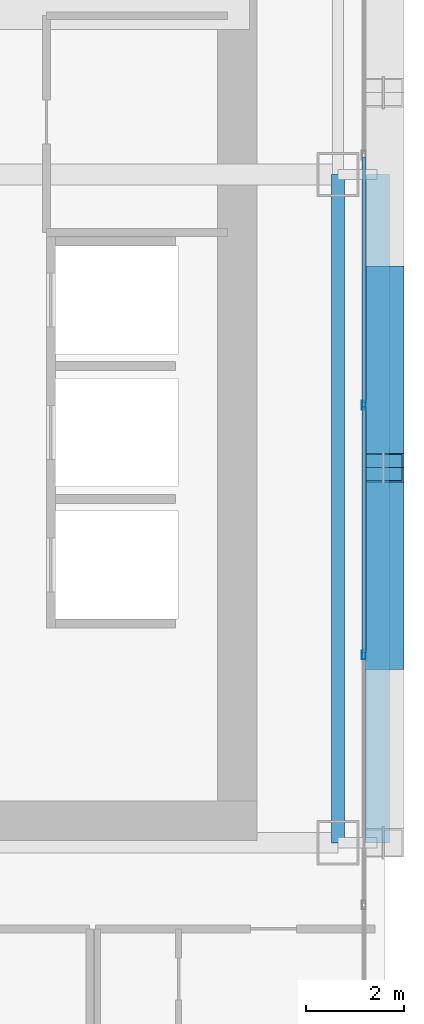
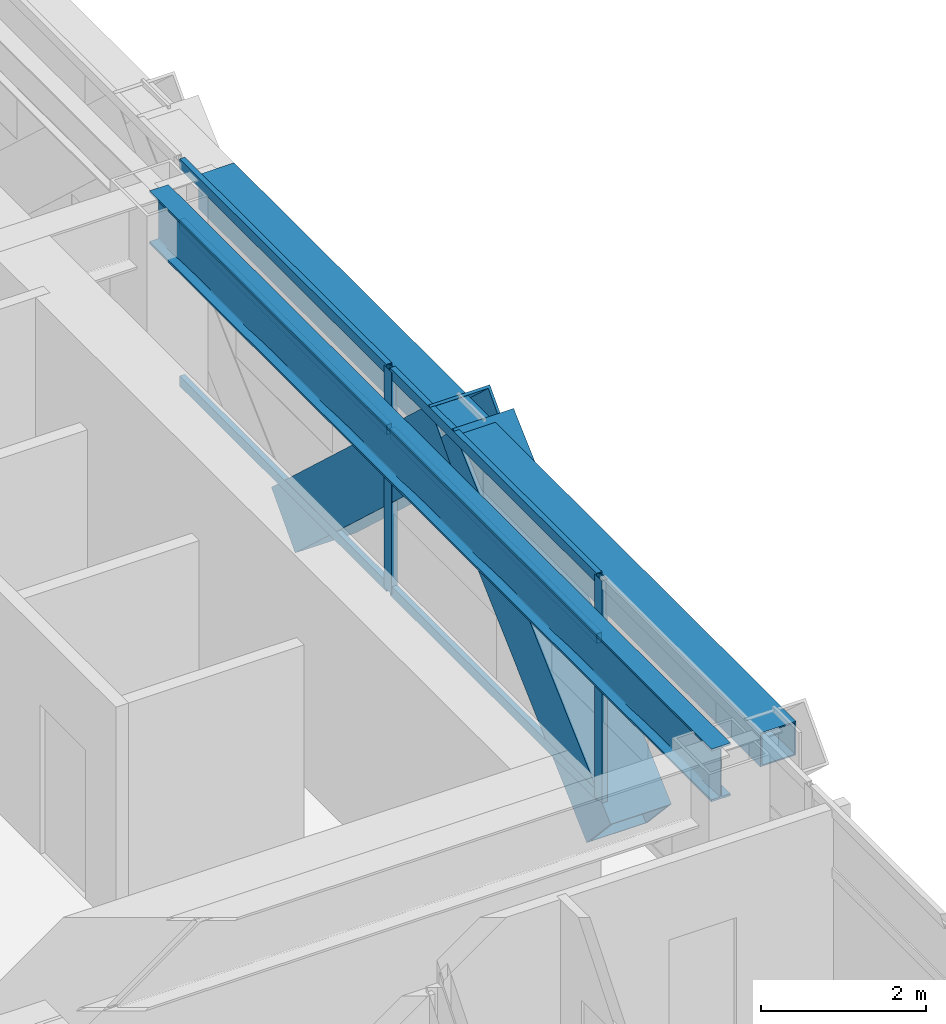
# One storey, part 13 of 35: 10 members, 2 beams, 1 element without a shape of its own.
"""IFC4 building model written with IfcOpenShell, lengths in metres."""

import ifcopenshell
import ifcopenshell.guid

model = None  # the IFC model being written
_history = None  # IfcOwnerHistory: only IFC2X3 demands one
_inside = {}  # id of a spatial element -> (the spatial element, [elements in it])
_under = {}  # id of a project, library or spatial element -> (it, [spatial elements below it])
_declared = {}  # id of a project -> (the project, [libraries it declares])
_typed = {}  # id of a type object -> (the type object, [elements of that type])
_made_of = {}  # id of a material, layer set ... -> (it, [elements and type objects made of it])


def new_model(schema):
    """Start an empty IFC model of exactly this schema.

    Asked for "IFC4X3", IfcOpenShell would pick the latest addendum, in which some entities
    have other attributes; the version numbers below select the first issue.
    IFC2X3 requires an IfcOwnerHistory on every rooted entity: one is made here for all.
    """
    global model, _history
    if schema == "IFC4X3":
        model = ifcopenshell.file(schema_version=(4, 3, 0, 0))
    else:
        model = ifcopenshell.file(schema=schema)
    _inside.clear()
    _under.clear()
    _declared.clear()
    _typed.clear()
    _made_of.clear()
    _history = None
    if model.schema == "IFC2X3":
        org = make("IfcOrganization", Name="unknown")
        user = make(
            "IfcPersonAndOrganization",
            ThePerson=make("IfcPerson", FamilyName="unknown"),
            TheOrganization=org,
        )
        app = make(
            "IfcApplication",
            ApplicationDeveloper=org,
            Version="unknown",
            ApplicationFullName="unknown",
            ApplicationIdentifier="unknown",
        )
        _history = make(
            "IfcOwnerHistory",
            OwningUser=user,
            OwningApplication=app,
            ChangeAction="ADDED",
            CreationDate=0,
        )
    return model


def make(cls, **values):
    """One entity of the class cls with the attributes given. An attribute that is None is left unset."""
    return model.create_entity(
        cls, **{name: value for name, value in values.items() if value is not None}
    )


def rooted(cls, **values):
    """An entity with a GlobalId (a new one), such as an element, a storey or a relation."""
    return make(cls, GlobalId=ifcopenshell.guid.new(), OwnerHistory=_history, **values)


def si_unit(unit_type, name, prefix=None):
    """IfcSIUnit, for example si_unit("LENGTHUNIT", "METRE", prefix="MILLI")."""
    return make("IfcSIUnit", UnitType=unit_type, Prefix=prefix, Name=name)


def assignment(units):
    """IfcUnitAssignment: the units of a project."""
    return None if units is None else make("IfcUnitAssignment", Units=units)


def point(xyz):
    """IfcCartesianPoint."""
    return None if xyz is None else make("IfcCartesianPoint", Coordinates=xyz)


def direction(xyz):
    """IfcDirection."""
    return None if xyz is None else make("IfcDirection", DirectionRatios=xyz)


def frame(location, z_axis=None, x_axis=None):
    """IfcAxis2Placement3D, a coordinate frame: its origin and axes. An axis left out is left unset."""
    return make(
        "IfcAxis2Placement3D",
        Location=point(location),
        Axis=direction(z_axis),
        RefDirection=direction(x_axis),
    )


def frame_2d(location, x_axis=None):
    """IfcAxis2Placement2D, a coordinate frame in the plane: its origin and x axis."""
    return make(
        "IfcAxis2Placement2D", Location=point(location), RefDirection=direction(x_axis)
    )


def origin():
    """The frame at (0, 0, 0) with its axes left unset."""
    return frame((0.0, 0.0, 0.0))


def origin_2d():
    """The frame at (0, 0) in the plane with its x axis left unset."""
    return frame_2d((0.0, 0.0))


def place(relative_to, where):
    """IfcLocalPlacement: puts the frame where relative to a parent placement (None: the world)."""
    return make(
        "IfcLocalPlacement", PlacementRelTo=relative_to, RelativePlacement=where
    )


def context(
    kind, dimensions, precision=None, world=None, true_north=None, identifier=None
):
    """IfcGeometricRepresentationContext, for example the 3D "Model" context."""
    return make(
        "IfcGeometricRepresentationContext",
        ContextIdentifier=identifier,
        ContextType=kind,
        CoordinateSpaceDimension=dimensions,
        Precision=precision,
        WorldCoordinateSystem=world,
        TrueNorth=true_north,
    )


def subcontext(parent, identifier, kind, view, scale=None):
    """IfcGeometricRepresentationSubContext, for example "Body" below "Model"."""
    return make(
        "IfcGeometricRepresentationSubContext",
        ContextIdentifier=identifier,
        ContextType=kind,
        ParentContext=parent,
        TargetScale=scale,
        TargetView=view,
    )


def project(units=None, contexts=None):
    """IfcProject with its units and contexts."""
    return rooted(
        "IfcProject",
        Name="project",
        RepresentationContexts=contexts,
        UnitsInContext=assignment(units),
    )


def spatial(cls, under=None, at=None, **own):
    """A site, building, storey or space (cls), placed at a placement, below another one or the project."""
    s = rooted(cls, ObjectPlacement=at, **own)
    if under is not None:
        _under.setdefault(under.id(), (under, []))[1].append(s)
    return s


def profile(cls, at=None, kind="AREA", **sizes):
    """A parametric profile (cls). Its sizes go by their IFC names, for example OverallWidth=200.0."""
    return make(cls, ProfileType=kind, Position=at, **sizes)


def hollow_rectangle(**sizes):
    """IfcRectangleHollowProfileDef."""
    return profile("IfcRectangleHollowProfileDef", **sizes)


def i_section(**sizes):
    """IfcIShapeProfileDef."""
    return profile("IfcIShapeProfileDef", **sizes)


def extrude(swept, where, along, depth):
    """IfcExtrudedAreaSolid: the profile swept, set in the frame where, extruded along a direction by depth."""
    return make(
        "IfcExtrudedAreaSolid",
        SweptArea=swept,
        Position=where,
        ExtrudedDirection=direction(along),
        Depth=depth,
    )


def shape(context_of_items, identifier, shape_type, items):
    """IfcShapeRepresentation: the items that make up one representation, for example the "Body"."""
    return make(
        "IfcShapeRepresentation",
        ContextOfItems=context_of_items,
        RepresentationIdentifier=identifier,
        RepresentationType=shape_type,
        Items=items,
    )


def source(mapping_origin, context_of_items, identifier, shape_type, items):
    """IfcRepresentationMap: a shape defined once, which mapped items show again and again."""
    return make(
        "IfcRepresentationMap",
        MappingOrigin=mapping_origin,
        MappedRepresentation=shape(context_of_items, identifier, shape_type, items),
    )


def transform(
    local_origin,
    x_axis=None,
    y_axis=None,
    z_axis=None,
    scale=None,
    scale2=None,
    scale3=None,
    uniform=True,
):
    """IfcCartesianTransformationOperator3D, or its non-uniform kind. x_axis, y_axis, z_axis: its Axis1, 2, 3."""
    if uniform:
        return make(
            "IfcCartesianTransformationOperator3D",
            Axis1=direction(x_axis),
            Axis2=direction(y_axis),
            LocalOrigin=point(local_origin),
            Scale=scale,
            Axis3=direction(z_axis),
        )
    return make(
        "IfcCartesianTransformationOperator3DnonUniform",
        Axis1=direction(x_axis),
        Axis2=direction(y_axis),
        LocalOrigin=point(local_origin),
        Scale=scale,
        Axis3=direction(z_axis),
        Scale2=scale2,
        Scale3=scale3,
    )


def mapped(mapping_source, mapping_target):
    """IfcMappedItem: shows the shape of a source again, moved by a transform."""
    return make(
        "IfcMappedItem", MappingSource=mapping_source, MappingTarget=mapping_target
    )


def material(Name=None, Category=None):
    """IfcMaterial."""
    return make("IfcMaterial", Name=Name, Category=Category)


def layer(
    of_material, thickness, ventilated=None, Name=None, Category=None, Priority=None
):
    """IfcMaterialLayer: one layer of a wall or slab, of a material (None: an air gap)."""
    return make(
        "IfcMaterialLayer",
        Material=of_material,
        LayerThickness=thickness,
        IsVentilated=ventilated,
        Name=Name,
        Category=Category,
        Priority=Priority,
    )


def layer_set(layers, Name=None):
    """IfcMaterialLayerSet."""
    return make("IfcMaterialLayerSet", MaterialLayers=layers, LayerSetName=Name)


def material_profile(
    of_material, cross_section, Name=None, Category=None, Priority=None
):
    """IfcMaterialProfile: a cross section and its material."""
    return make(
        "IfcMaterialProfile",
        Name=Name,
        Material=of_material,
        Profile=cross_section,
        Priority=Priority,
        Category=Category,
    )


def profile_set(profiles, Name=None, composite=None):
    """IfcMaterialProfileSet."""
    return make(
        "IfcMaterialProfileSet",
        Name=Name,
        MaterialProfiles=profiles,
        CompositeProfile=composite,
    )


def made_of(thing, what):
    """Note that an element or type object is made of a material, layer set ...; save() writes the relation."""
    if what is not None:
        _made_of.setdefault(what.id(), (what, []))[1].append(thing)
    return thing


def type_object(cls, material=None, **own):
    """A type object (cls), such as IfcWallType, which elements share."""
    return made_of(rooted(cls, **own), material)


def element(
    cls,
    number,
    at=None,
    inside=None,
    cuts=None,
    type_object=None,
    material=None,
    context=None,
    identifier="Body",
    shape_type=None,
    held_by="IfcProductDefinitionShape",
    body=None,
    shapes=None,
    **own,
):
    """One element of the class cls, such as IfcWall. Its Tag is "e" and its number.

    at: its placement. inside: the storey or other place that contains it. cuts: it is an
    opening in that element (IfcRelVoidsElement). A single representation is given by context,
    identifier, shape_type and body (its items); several are given by shapes. held_by: the class
    of the entity that holds the representations. save() writes the other relations.
    """
    e = rooted(cls, Tag="e%d" % number, ObjectPlacement=at, **own)
    if body is not None:
        shapes = [shape(context, identifier, shape_type, body)]
    if shapes is not None:
        e.Representation = make(held_by, Representations=shapes)
    if inside is not None:
        _inside.setdefault(inside.id(), (inside, []))[1].append(e)
    if cuts is not None:
        rooted(
            "IfcRelVoidsElement", RelatingBuildingElement=cuts, RelatedOpeningElement=e
        )
    if type_object is not None:
        _typed.setdefault(type_object.id(), (type_object, []))[1].append(e)
    return made_of(e, material)


def aggregate(whole, parts):
    """IfcRelAggregates: a whole, such as a stair, and the parts it consists of."""
    return rooted("IfcRelAggregates", RelatingObject=whole, RelatedObjects=parts)


def save(model, path):
    """Write the relations noted so far, then the file.

    IfcRelAggregates (storeys below a building ...), IfcRelContainedInSpatialStructure (elements
    in a storey), IfcRelDefinesByType, IfcRelAssociatesMaterial and IfcRelDeclares: one each for
    every whole, place, type object, material and project.
    """
    for whole, parts in _under.values():
        aggregate(whole, parts)
    for where, things in _inside.values():
        rooted(
            "IfcRelContainedInSpatialStructure",
            RelatedElements=things,
            RelatingStructure=where,
        )
    for kind, things in _typed.values():
        rooted("IfcRelDefinesByType", RelatedObjects=things, RelatingType=kind)
    for what, things in _made_of.values():
        rooted("IfcRelAssociatesMaterial", RelatedObjects=things, RelatingMaterial=what)
    for by, libraries in _declared.values():
        rooted("IfcRelDeclares", RelatingContext=by, RelatedDefinitions=libraries)
    model.write(path)


model = new_model("IFC4")

# Units and contexts
model_context = context("Model", 3, precision=1e-05, world=origin(), true_north=direction((0.0, 1.0)))
body_context = subcontext(model_context, "Body", "Model", "MODEL_VIEW")
ifc_project = project(units=[si_unit("LENGTHUNIT", "METRE"), si_unit("AREAUNIT", "SQUARE_METRE"), si_unit("VOLUMEUNIT", "CUBIC_METRE"), si_unit("PLANEANGLEUNIT", "RADIAN"), si_unit("MASSUNIT", "GRAM", prefix="KILO")], contexts=[model_context])

# Site, building, storey
site_placement = place(None, origin())
site = spatial("IfcSite", under=ifc_project, at=site_placement, CompositionType="ELEMENT")
building_placement = place(site_placement, origin())
building = spatial("IfcBuilding", under=site, at=building_placement, Name="Ocotamira Hotel", CompositionType="ELEMENT")
storey_placement = place(building_placement, frame((0.0, 0.0, 81.60009765625)))
storey = spatial("IfcBuildingStorey", under=building, at=storey_placement, Name="L20", CompositionType="ELEMENT", Elevation=81.60009765625)

# Beams
ifc_material_1 = material(Name="Steel ASTM A992 Grade 50", Category="steel")
ifc_material_profile_1 = material_profile(ifc_material_1, i_section(OverallWidth=0.26611328125, OverallDepth=0.779052734375, WebThickness=0.0166015625, FlangeThickness=0.030029296875, FilletRadius=0.01806640625, at=origin_2d()), Name="W30X148")
ifc_profile_set_1 = profile_set([ifc_material_profile_1], Name="Steel ASTM A992 Grade 50")
beam_type_1 = type_object("IfcBeamType", Name="BM-GIRD-W30X148", PredefinedType="BEAM", material=ifc_profile_set_1)
shared_shape_1 = source(origin(), body_context, "Body", "SweptSolid", [
    extrude(i_section(OverallWidth=0.26611328125, OverallDepth=0.779052734375, WebThickness=0.0166015625, FlangeThickness=0.030029296875, FilletRadius=0.01806640625, at=origin_2d()), origin(), (0.0, 0.0, 1.0), 13.599853515625),
])
beam_1_placement = place(storey_placement, frame((55.050048828125, 14.550048828125, 2.890380859375), z_axis=(0.0, 1.0, 0.0), x_axis=(-1.0, 0.0, 0.0)))
element("IfcBeam", 1, at=beam_1_placement, inside=storey, type_object=beam_type_1, Name="L20 Beam X55.05 Y14.55-28.15", PredefinedType="BEAM", context=body_context, shape_type="MappedRepresentation", body=[
    mapped(shared_shape_1, transform((0.0, 0.0, 0.0), scale=1.0)),
])
ifc_material_2 = material(Name="Steel ASTM A500 Grade C", Category="steel")
ifc_material_profile_2 = material_profile(ifc_material_2, hollow_rectangle(XDim=0.5, YDim=0.5, WallThickness=0.02001953125, at=origin_2d()), Name="HSS500X500X20")
ifc_profile_set_2 = profile_set([ifc_material_profile_2], Name="Steel ASTM A500 Grade C")
beam_type_2 = type_object("IfcBeamType", Name="BM-SPAN-HSS500", PredefinedType="USERDEFINED", material=ifc_profile_set_2)
shared_shape_2 = source(origin(), body_context, "Body", "SweptSolid", [
    extrude(hollow_rectangle(XDim=0.5, YDim=0.5, WallThickness=0.02001953125, at=origin_2d()), origin(), (0.0, 0.0, 1.0), 13.599853515625),
])
beam_2_placement = place(storey_placement, frame((55.85009765625, 14.550048828125, 3.02978515625), z_axis=(0.0, 1.0, 0.0), x_axis=(-1.0, 0.0, 0.0)))
element("IfcBeam", 2, at=beam_2_placement, inside=storey, type_object=beam_type_2, Name="L20 Edge Spandrel E Y14.55-28.15", ObjectType="SPANDREL", PredefinedType="USERDEFINED", context=body_context, shape_type="MappedRepresentation", body=[
    mapped(shared_shape_2, transform((0.0, 0.0, 0.0), scale=1.0)),
])

# Members
ifc_material_3 = material(Name="Pale-metal coated steel ASTM A913 Grade 65", Category="steel")
ifc_material_profile_3 = material_profile(ifc_material_3, hollow_rectangle(XDim=0.85009765625, YDim=0.85009765625, WallThickness=0.035888671875, at=origin_2d()), Name="BOX850X850X36")
ifc_profile_set_3 = profile_set([ifc_material_profile_3], Name="Pale-metal coated steel ASTM A913 Grade 65")
member_type_1 = type_object("IfcMemberType", Name="MEM-EXO-BOX850", PredefinedType="BRACE", material=ifc_profile_set_3)
shared_shape_3 = source(origin(), body_context, "Body", "SweptSolid", [
    extrude(hollow_rectangle(XDim=0.85009765625, YDim=0.85009765625, WallThickness=0.035888671875, at=origin_2d()), origin(), (0.0, 0.0, 1.0), 5.19873046875),
])
for number, where, z_axis, x_axis, name in (
    (3, (55.969970703125, 18.36669921875, -0.5), (0.0, 0.734158546733, 0.67897807642), (-1.0, 0.0, 0.0), "L20 Exoskeleton Diagrid E0.2"),
    (4, (55.969970703125, 26.0, -0.5), (0.0, -0.734158546733, 0.67897807642), (1.0, 0.0, 0.0), "L20 Exoskeleton Diagrid E1.1"),
):
    element("IfcMember", number, at=place(storey_placement, frame(where, z_axis=z_axis, x_axis=x_axis)), inside=storey, type_object=member_type_1, Name=name, PredefinedType="BRACE", context=body_context, shape_type="MappedRepresentation", body=[
        mapped(shared_shape_3, transform((0.0, 0.0, 0.0), scale=1.0)),
    ])

# Curtain wall, members
ifc_material_4 = material(Name="Anodised pale-metal aluminium and solar glass", Category="aluminium")
ifc_layer = layer(ifc_material_4, 0.179931640625)
ifc_layer_set = layer_set([ifc_layer], Name="Anodised pale-metal aluminium and solar glass")
curtain_wall_type = type_object("IfcCurtainWallType", Name="CW-SYS2-Z1", PredefinedType="NOTDEFINED", material=ifc_layer_set)
curtain_wall_placement = place(storey_placement, origin())
curtain_wall = element("IfcCurtainWall", 5, at=curtain_wall_placement, inside=storey, type_object=curtain_wall_type, Name="L20 Curtain Wall CW-2 CW-L20-E", PredefinedType="NOTDEFINED")
ifc_material_5 = material(Name="Anodised pale-metal aluminium 6063-T6", Category="aluminium")
ifc_material_profile_4 = material_profile(ifc_material_5, hollow_rectangle(XDim=0.074951171875, YDim=0.14990234375, WallThickness=0.006103515625, at=origin_2d()), Name="HSS150X75X6")
ifc_profile_set_4 = profile_set([ifc_material_profile_4], Name="Anodised pale-metal aluminium 6063-T6")
member_type_2 = type_object("IfcMemberType", Name="CWT-150X75", PredefinedType="USERDEFINED", material=ifc_profile_set_4)
shared_shape_4 = source(origin(), body_context, "Body", "SweptSolid", [
    extrude(hollow_rectangle(XDim=0.074951171875, YDim=0.14990234375, WallThickness=0.006103515625, at=origin_2d()), origin(), (0.0, 0.0, 1.0), 5.005859375),
])
member_1_placement = place(storey_placement, frame((55.580078125, 18.411376953125, 0.037353515625), z_axis=(0.0, 1.0, 0.0), x_axis=(-1.0, 0.0, 0.0)))
member_1 = element("IfcMember", 6, at=member_1_placement, type_object=member_type_2, Name="CW-2 transom 3.1", ObjectType="TRANSOM", PredefinedType="USERDEFINED", context=body_context, shape_type="MappedRepresentation", body=[
    mapped(shared_shape_4, transform((0.0, 0.0, 0.0), scale=1.0)),
])
member_2_placement = place(storey_placement, frame((55.580078125, 18.411376953125, 2.349853515625), z_axis=(0.0, 1.0, 0.0), x_axis=(-1.0, 0.0, 0.0)))
member_2 = element("IfcMember", 7, at=member_2_placement, type_object=member_type_2, Name="CW-2 transom 3.2", ObjectType="TRANSOM", PredefinedType="USERDEFINED", context=body_context, shape_type="MappedRepresentation", body=[
    mapped(shared_shape_4, transform((0.0, 0.0, 0.0), scale=1.0)),
])
member_3_placement = place(storey_placement, frame((55.580078125, 18.411376953125, 3.242431640625), z_axis=(0.0, 1.0, 0.0), x_axis=(-1.0, 0.0, 0.0)))
member_3 = element("IfcMember", 8, at=member_3_placement, type_object=member_type_2, Name="CW-2 transom 3.3", ObjectType="TRANSOM", PredefinedType="USERDEFINED", context=body_context, shape_type="MappedRepresentation", body=[
    mapped(shared_shape_4, transform((0.0, 0.0, 0.0), scale=1.0)),
])
member_4_placement = place(storey_placement, frame((55.580078125, 23.4970703125, 0.037353515625), z_axis=(0.0, 1.0, 0.0), x_axis=(-1.0, 0.0, 0.0)))
member_4 = element("IfcMember", 9, at=member_4_placement, type_object=member_type_2, Name="CW-2 transom 4.1", ObjectType="TRANSOM", PredefinedType="USERDEFINED", context=body_context, shape_type="MappedRepresentation", body=[
    mapped(shared_shape_4, transform((0.0, 0.0, 0.0), scale=1.0)),
])
member_5_placement = place(storey_placement, frame((55.580078125, 23.4970703125, 2.349853515625), z_axis=(0.0, 1.0, 0.0), x_axis=(-1.0, 0.0, 0.0)))
member_5 = element("IfcMember", 10, at=member_5_placement, type_object=member_type_2, Name="CW-2 transom 4.2", ObjectType="TRANSOM", PredefinedType="USERDEFINED", context=body_context, shape_type="MappedRepresentation", body=[
    mapped(shared_shape_4, transform((0.0, 0.0, 0.0), scale=1.0)),
])
member_6_placement = place(storey_placement, frame((55.580078125, 23.4970703125, 3.242431640625), z_axis=(0.0, 1.0, 0.0), x_axis=(-1.0, 0.0, 0.0)))
member_6 = element("IfcMember", 11, at=member_6_placement, type_object=member_type_2, Name="CW-2 transom 4.3", ObjectType="TRANSOM", PredefinedType="USERDEFINED", context=body_context, shape_type="MappedRepresentation", body=[
    mapped(shared_shape_4, transform((0.0, 0.0, 0.0), scale=1.0)),
])
ifc_material_profile_5 = material_profile(ifc_material_5, hollow_rectangle(XDim=0.080078125, YDim=0.179931640625, WallThickness=0.006103515625, at=origin_2d()), Name="HSS180X80X6")
ifc_profile_set_5 = profile_set([ifc_material_profile_5], Name="Anodised pale-metal aluminium 6063-T6")
member_type_3 = type_object("IfcMemberType", Name="CWM-180X75", PredefinedType="MULLION", material=ifc_profile_set_5)
shared_shape_5 = source(origin(), body_context, "Body", "SweptSolid", [
    extrude(hollow_rectangle(XDim=0.080078125, YDim=0.179931640625, WallThickness=0.006103515625, at=origin_2d()), origin(), (0.0, 0.0, 1.0), 3.27978515625),
])
member_7_placement = place(storey_placement, frame((55.580078125, 18.371337890625, 0.0), z_axis=(0.0, 0.0, 1.0), x_axis=(-1.0, 0.0, 0.0)))
member_7 = element("IfcMember", 12, at=member_7_placement, type_object=member_type_3, Name="CW-2 mullion 3", PredefinedType="MULLION", context=body_context, shape_type="MappedRepresentation", body=[
    mapped(shared_shape_5, transform((0.0, 0.0, 0.0), scale=1.0)),
])
member_8_placement = place(storey_placement, frame((55.580078125, 23.45703125, 0.0), z_axis=(0.0, 0.0, 1.0), x_axis=(-1.0, 0.0, 0.0)))
member_8 = element("IfcMember", 13, at=member_8_placement, type_object=member_type_3, Name="CW-2 mullion 4", PredefinedType="MULLION", context=body_context, shape_type="MappedRepresentation", body=[
    mapped(shared_shape_5, transform((0.0, 0.0, 0.0), scale=1.0)),
])
aggregate(curtain_wall, [member_7, member_8, member_1, member_2, member_3, member_4, member_5, member_6])

save(model, "model.ifc")
